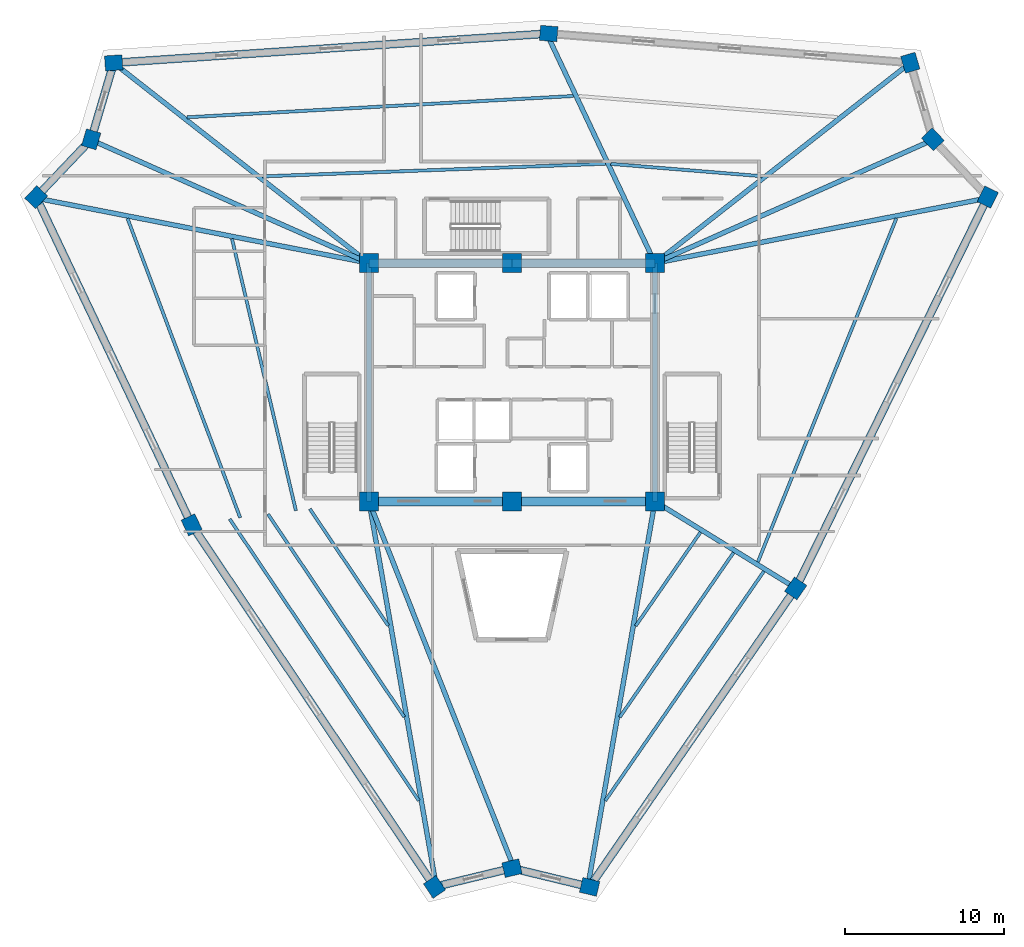
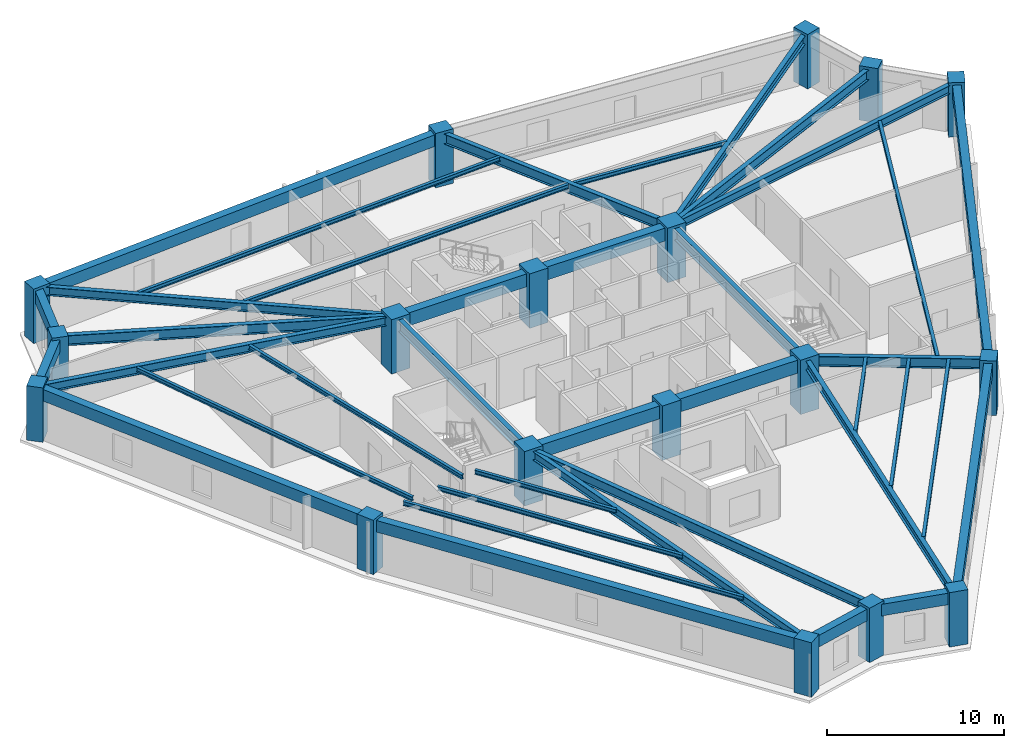
# One storey, part 1 of 8: 38 beams, 18 columns.
"""IFC4 building model written with IfcOpenShell, lengths in metres."""

from ifc_helpers import new_model, si_unit, direction, frame, origin, origin_2d, place, context, subcontext, project, spatial, rectangle, i_section, extrude, source, transform, mapped, material, material_profile, profile_set, type_object, element, save


model = new_model("IFC4")

# Units and contexts
model_context = context("Model", 3, precision=1e-05, world=origin(), true_north=direction((0.0, 1.0)))
body_context = subcontext(model_context, "Body", "Model", "MODEL_VIEW")
ifc_project = project(units=[si_unit("LENGTHUNIT", "METRE"), si_unit("AREAUNIT", "SQUARE_METRE"), si_unit("VOLUMEUNIT", "CUBIC_METRE"), si_unit("PLANEANGLEUNIT", "RADIAN"), si_unit("MASSUNIT", "GRAM", prefix="KILO")], contexts=[model_context])

# Site, building, storey
site_placement = place(None, origin())
site = spatial("IfcSite", under=ifc_project, at=site_placement, CompositionType="ELEMENT")
building_placement = place(site_placement, origin())
building = spatial("IfcBuilding", under=site, at=building_placement, Name="Liaohun Quay Tower", CompositionType="ELEMENT")
storey_placement = place(building_placement, frame((0.0, 0.0, 316.5)))
storey = spatial("IfcBuildingStorey", under=building, at=storey_placement, Name="L82", CompositionType="ELEMENT", Elevation=316.5)

# Columns
ifc_material_1 = material(Name="Concrete C50", Category="concrete")
ifc_material_profile_1 = material_profile(ifc_material_1, rectangle(XDim=1.199951171875, YDim=1.199951171875, at=origin_2d()), Name="RC1200x1200")
ifc_profile_set_1 = profile_set([ifc_material_profile_1], Name="Concrete C50")
column_type_1 = type_object("IfcColumnType", Name="COL-CC-Z4", PredefinedType="COLUMN", material=ifc_profile_set_1)
shared_shape_1 = source(origin(), body_context, "Body", "SweptSolid", [
    extrude(rectangle(XDim=1.199951171875, YDim=1.199951171875, at=origin_2d()), origin(), (0.0, 0.0, 1.0), 3.75),
])
for number, where, z_axis, x_axis, name in (
    (1, (51.0, 46.5, 0.0), (0.0, 0.0, 1.0), (1.0, 0.0, 0.0), "L82 Core Column CC1"),
    (2, (60.0, 46.5, 0.0), (0.0, 0.0, 1.0), (1.0, 0.0, 0.0), "L82 Core Column CC2"),
    (3, (69.0, 46.5, 0.0), (0.0, 0.0, 1.0), (1.0, 0.0, 0.0), "L82 Core Column CC3"),
    (4, (69.0, 61.5, 0.0), (0.0, 0.0, 1.0), (1.0, 0.0, 0.0), "L82 Core Column CC4"),
    (5, (60.0, 61.5, 0.0), (0.0, 0.0, 1.0), (1.0, 0.0, 0.0), "L82 Core Column CC5"),
    (6, (51.0, 61.5, 0.0), (0.0, 0.0, 1.0), (1.0, 0.0, 0.0), "L82 Core Column CC6"),
):
    element("IfcColumn", number, at=place(storey_placement, frame(where, z_axis=z_axis, x_axis=x_axis)), inside=storey, type_object=column_type_1, Name=name, PredefinedType="COLUMN", context=body_context, shape_type="MappedRepresentation", body=[
        mapped(shared_shape_1, transform((0.0, 0.0, 0.0), x_axis=(1.0, 0.0, 0.0), y_axis=(0.0, 1.0, 0.0), z_axis=(0.0, 0.0, 1.0), scale=1.0)),
    ])
ifc_material_profile_2 = material_profile(ifc_material_1, rectangle(XDim=1.10009765625, YDim=0.949951171875, at=origin_2d()), Name="RC1100x950")
ifc_profile_set_2 = profile_set([ifc_material_profile_2], Name="Concrete C50")
column_type_2 = type_object("IfcColumnType", Name="COL-PIER-Z4", PredefinedType="COLUMN", material=ifc_profile_set_2)
shared_shape_2 = source(origin(), body_context, "Body", "SweptSolid", [
    extrude(rectangle(XDim=1.10009765625, YDim=0.949951171875, at=origin_2d()), origin(), (0.0, 0.0, 1.0), 3.75),
])
for number, where, z_axis, x_axis, name in (
    (7, (55.123046875, 22.22998046875, 0.0), (0.0, 0.0, 1.0), (-0.557165515219, 0.830401462336, 0.0), "L82 Perimeter Pier PC01"),
    (8, (39.8310546875, 45.02197265625, 0.0), (0.0, 0.0, 1.0), (-0.428619783775, 0.903484964433, 0.0), "L82 Perimeter Pier PC02"),
    (9, (30.0419921875, 65.655029296875, 0.0), (0.0, 0.0, 1.0), (0.68936671806, 0.724412539946, 0.0), "L82 Perimeter Pier PC03"),
    (10, (33.507080078125, 69.2958984375, 0.0), (0.0, 0.0, 1.0), (0.282508884416, 0.959264682049, 0.0), "L82 Perimeter Pier PC04"),
    (11, (34.925048828125, 74.10888671875, 0.0), (0.0, 0.0, 1.0), (0.997731519333, 0.067318759124, 0.0), "L82 Perimeter Pier PC05"),
    (12, (62.30908203125, 75.9560546875, 0.0), (0.0, 0.0, 1.0), (-0.996750823024, 0.080546860903, 0.0), "L82 Perimeter Pier PC06"),
    (13, (85.072998046875, 74.116943359375, 0.0), (0.0, 0.0, 1.0), (-0.282508884416, 0.959264682049, 0.0), "L82 Perimeter Pier PC07"),
    (14, (86.492919921875, 69.2958984375, 0.0), (0.0, 0.0, 1.0), (-0.68936671806, 0.724412539946, 0.0), "L82 Perimeter Pier PC08"),
    (15, (89.951904296875, 65.660888671875, 0.0), (0.0, 0.0, 1.0), (0.440566004113, 0.897720221461, 0.0), "L82 Perimeter Pier PC09"),
    (16, (77.860107421875, 41.02197265625, 0.0), (0.0, 0.0, 1.0), (0.568131039249, 0.82293810353, 0.0), "L82 Perimeter Pier PC10"),
    (17, (64.885009765625, 22.22802734375, 0.0), (0.0, 0.0, 1.0), (-0.972043021443, 0.234802820391, 0.0), "L82 Perimeter Pier PC11"),
    (18, (60.0, 23.407958984375, 0.0), (0.0, 0.0, 1.0), (0.972043021443, 0.234802820391, 0.0), "L82 Perimeter Pier PC12"),
):
    element("IfcColumn", number, at=place(storey_placement, frame(where, z_axis=z_axis, x_axis=x_axis)), inside=storey, type_object=column_type_2, Name=name, PredefinedType="COLUMN", context=body_context, shape_type="MappedRepresentation", body=[
        mapped(shared_shape_2, transform((0.0, 0.0, 0.0), x_axis=(1.0, 0.0, 0.0), y_axis=(0.0, 1.0, 0.0), z_axis=(0.0, 0.0, 1.0), scale=1.0)),
    ])

# Beams
ifc_material_2 = material(Name="Steel Q355D", Category="steel")
ifc_material_profile_3 = material_profile(ifc_material_2, i_section(OverallWidth=0.300048828125, OverallDepth=0.800048828125, WebThickness=0.013916015625, FlangeThickness=0.02587890625, at=origin_2d()), Name="HN800x300x14x26")
ifc_profile_set_3 = profile_set([ifc_material_profile_3], Name="Steel Q355D")
beam_type_1 = type_object("IfcBeamType", Name="BM-RAD-M1", PredefinedType="BEAM", material=ifc_profile_set_3)
shared_shape_3 = source(origin(), body_context, "Body", "SweptSolid", [
    extrude(i_section(OverallWidth=0.300048828125, OverallDepth=0.800048828125, WebThickness=0.013916015625, FlangeThickness=0.02587890625, at=origin_2d()), origin(), (0.0, 0.0, 1.0), 15.0),
])
for number, where, z_axis, x_axis, name in (
    (19, (69.0, 46.5, 3.169921875), (0.0, 1.0, 0.0), (-1.0, 0.0, 0.0), "L82 Core Coupling/Ring Beam CC3-CC4"),
    (20, (51.0, 61.5, 3.169921875), (0.0, -1.0, 0.0), (1.0, 0.0, 0.0), "L82 Core Coupling/Ring Beam CC6-CC1"),
):
    element("IfcBeam", number, at=place(storey_placement, frame(where, z_axis=z_axis, x_axis=x_axis)), inside=storey, type_object=beam_type_1, Name=name, PredefinedType="BEAM", context=body_context, shape_type="MappedRepresentation", body=[
        mapped(shared_shape_3, transform((0.0, 0.0, 0.0), x_axis=(1.0, 0.0, 0.0), y_axis=(0.0, 1.0, 0.0), z_axis=(0.0, 0.0, 1.0), scale=1.0)),
    ])
ifc_material_3 = material(Name="Concrete C55", Category="concrete")
ifc_material_profile_4 = material_profile(ifc_material_3, rectangle(XDim=0.550048828125, YDim=0.89990234375, at=origin_2d()), Name="RC550x900")
ifc_profile_set_4 = profile_set([ifc_material_profile_4], Name="Concrete C55")
beam_type_2 = type_object("IfcBeamType", Name="BM-CPL-2", PredefinedType="LINTEL", material=ifc_profile_set_4)
shared_shape_4 = source(origin(), body_context, "Body", "SweptSolid", [
    extrude(rectangle(XDim=0.550048828125, YDim=0.89990234375, at=origin_2d()), origin(), (0.0, 0.0, 1.0), 9.0),
])
for number, where, z_axis, x_axis, name in (
    (21, (51.0, 46.5, 3.1201171875), (1.0, 0.0, 0.0), (0.0, 1.0, 0.0), "L82 Core Coupling/Ring Beam CC1-CC2"),
    (22, (60.0, 46.5, 3.1201171875), (1.0, 0.0, 0.0), (0.0, 1.0, 0.0), "L82 Core Coupling/Ring Beam CC2-CC3"),
    (23, (69.0, 61.5, 3.1201171875), (-1.0, 0.0, 0.0), (0.0, -1.0, 0.0), "L82 Core Coupling/Ring Beam CC4-CC5"),
    (24, (60.0, 61.5, 3.1201171875), (-1.0, 0.0, 0.0), (0.0, -1.0, 0.0), "L82 Core Coupling/Ring Beam CC5-CC6"),
):
    element("IfcBeam", number, at=place(storey_placement, frame(where, z_axis=z_axis, x_axis=x_axis)), inside=storey, type_object=beam_type_2, Name=name, PredefinedType="LINTEL", context=body_context, shape_type="MappedRepresentation", body=[
        mapped(shared_shape_4, transform((0.0, 0.0, 0.0), x_axis=(1.0, 0.0, 0.0), y_axis=(0.0, 1.0, 0.0), z_axis=(0.0, 0.0, 1.0), scale=1.0)),
    ])
ifc_material_4 = material(Name="Precast concrete C50", Category="concrete")
ifc_material_profile_5 = material_profile(ifc_material_4, rectangle(XDim=0.5, YDim=0.800048828125, at=origin_2d()), Name="RC500x800")
ifc_profile_set_5 = profile_set([ifc_material_profile_5], Name="Precast concrete C50")
beam_type_3 = type_object("IfcBeamType", Name="BM-SPD-Z4", PredefinedType="SPANDREL", material=ifc_profile_set_5)
shared_shape_5 = source(origin(), body_context, "Body", "SweptSolid", [
    extrude(rectangle(XDim=0.5, YDim=0.800048828125, at=origin_2d()), origin(), (0.0, 0.0, 1.0), 27.44677734375),
])
beam_1_placement = place(storey_placement, frame((55.123046875, 22.22998046875, 3.169921875), z_axis=(-0.557152826308, 0.830409975938, 0.0), x_axis=(-0.830409975938, -0.557152826308, 0.0)))
element("IfcBeam", 25, at=beam_1_placement, inside=storey, type_object=beam_type_3, Name="L82 Precast Spandrel Beam PC01-PC02", PredefinedType="SPANDREL", context=body_context, shape_type="MappedRepresentation", body=[
    mapped(shared_shape_5, transform((0.0, 0.0, 0.0), x_axis=(1.0, 0.0, 0.0), y_axis=(0.0, 1.0, 0.0), z_axis=(0.0, 0.0, 1.0), scale=1.0)),
])
shared_shape_6 = source(origin(), body_context, "Body", "SweptSolid", [
    extrude(rectangle(XDim=0.5, YDim=0.800048828125, at=origin_2d()), origin(), (0.0, 0.0, 1.0), 22.83740234375),
])
beam_2_placement = place(storey_placement, frame((39.8310546875, 45.02197265625, 3.169921875), z_axis=(-0.428640929659, 0.90347493237, 0.0), x_axis=(-0.90347493237, -0.428640929659, 0.0)))
element("IfcBeam", 26, at=beam_2_placement, inside=storey, type_object=beam_type_3, Name="L82 Precast Spandrel Beam PC02-PC03", PredefinedType="SPANDREL", context=body_context, shape_type="MappedRepresentation", body=[
    mapped(shared_shape_6, transform((0.0, 0.0, 0.0), x_axis=(1.0, 0.0, 0.0), y_axis=(0.0, 1.0, 0.0), z_axis=(0.0, 0.0, 1.0), scale=1.0)),
])
shared_shape_7 = source(origin(), body_context, "Body", "SweptSolid", [
    extrude(rectangle(XDim=0.5, YDim=0.800048828125, at=origin_2d()), origin(), (0.0, 0.0, 1.0), 5.026123046875),
])
beam_3_placement = place(storey_placement, frame((30.0419921875, 65.655029296875, 3.169921875), z_axis=(0.689404061854, 0.724377000946, 0.0), x_axis=(-0.724377000946, 0.689404061854, 0.0)))
element("IfcBeam", 27, at=beam_3_placement, inside=storey, type_object=beam_type_3, Name="L82 Precast Spandrel Beam PC03-PC04", PredefinedType="SPANDREL", context=body_context, shape_type="MappedRepresentation", body=[
    mapped(shared_shape_7, transform((0.0, 0.0, 0.0), x_axis=(1.0, 0.0, 0.0), y_axis=(0.0, 1.0, 0.0), z_axis=(0.0, 0.0, 1.0), scale=1.0)),
])
shared_shape_8 = source(origin(), body_context, "Body", "SweptSolid", [
    extrude(rectangle(XDim=0.5, YDim=0.800048828125, at=origin_2d()), origin(), (0.0, 0.0, 1.0), 5.017578125),
])
beam_4_placement = place(storey_placement, frame((33.507080078125, 69.2958984375, 3.169921875), z_axis=(0.282603593627, 0.959236784568, 0.0), x_axis=(-0.959236784568, 0.282603593627, 0.0)))
element("IfcBeam", 28, at=beam_4_placement, inside=storey, type_object=beam_type_3, Name="L82 Precast Spandrel Beam PC04-PC05", PredefinedType="SPANDREL", context=body_context, shape_type="MappedRepresentation", body=[
    mapped(shared_shape_8, transform((0.0, 0.0, 0.0), x_axis=(1.0, 0.0, 0.0), y_axis=(0.0, 1.0, 0.0), z_axis=(0.0, 0.0, 1.0), scale=1.0)),
])
shared_shape_9 = source(origin(), body_context, "Body", "SweptSolid", [
    extrude(rectangle(XDim=0.5, YDim=0.800048828125, at=origin_2d()), origin(), (0.0, 0.0, 1.0), 27.4462890625),
])
beam_5_placement = place(storey_placement, frame((34.925048828125, 74.10888671875, 3.169921875), z_axis=(0.997732700008, 0.067301258042, 0.0), x_axis=(-0.067301258042, 0.997732700008, 0.0)))
element("IfcBeam", 29, at=beam_5_placement, inside=storey, type_object=beam_type_3, Name="L82 Precast Spandrel Beam PC05-PC06", PredefinedType="SPANDREL", context=body_context, shape_type="MappedRepresentation", body=[
    mapped(shared_shape_9, transform((0.0, 0.0, 0.0), x_axis=(1.0, 0.0, 0.0), y_axis=(0.0, 1.0, 0.0), z_axis=(0.0, 0.0, 1.0), scale=1.0)),
])
shared_shape_10 = source(origin(), body_context, "Body", "SweptSolid", [
    extrude(rectangle(XDim=0.5, YDim=0.800048828125, at=origin_2d()), origin(), (0.0, 0.0, 1.0), 27.446044921875),
])
beam_6_placement = place(storey_placement, frame((89.951904296875, 65.660888671875, 3.169921875), z_axis=(-0.440565408616, -0.897720513708, 0.0), x_axis=(0.897720513708, -0.440565408616, 0.0)))
element("IfcBeam", 30, at=beam_6_placement, inside=storey, type_object=beam_type_3, Name="L82 Precast Spandrel Beam PC09-PC10", PredefinedType="SPANDREL", context=body_context, shape_type="MappedRepresentation", body=[
    mapped(shared_shape_10, transform((0.0, 0.0, 0.0), x_axis=(1.0, 0.0, 0.0), y_axis=(0.0, 1.0, 0.0), z_axis=(0.0, 0.0, 1.0), scale=1.0)),
])
shared_shape_11 = source(origin(), body_context, "Body", "SweptSolid", [
    extrude(rectangle(XDim=0.5, YDim=0.800048828125, at=origin_2d()), origin(), (0.0, 0.0, 1.0), 22.837890625),
])
beam_7_placement = place(storey_placement, frame((77.860107421875, 41.02197265625, 3.169921875), z_axis=(-0.568141077434, -0.822931173387, 0.0), x_axis=(0.822931173387, -0.568141077434, 0.0)))
element("IfcBeam", 31, at=beam_7_placement, inside=storey, type_object=beam_type_3, Name="L82 Precast Spandrel Beam PC10-PC11", PredefinedType="SPANDREL", context=body_context, shape_type="MappedRepresentation", body=[
    mapped(shared_shape_11, transform((0.0, 0.0, 0.0), x_axis=(1.0, 0.0, 0.0), y_axis=(0.0, 1.0, 0.0), z_axis=(0.0, 0.0, 1.0), scale=1.0)),
])
shared_shape_12 = source(origin(), body_context, "Body", "SweptSolid", [
    extrude(rectangle(XDim=0.5, YDim=0.800048828125, at=origin_2d()), origin(), (0.0, 0.0, 1.0), 5.025390625),
])
beam_8_placement = place(storey_placement, frame((64.885009765625, 22.22802734375, 3.169921875), z_axis=(-0.972046280401, 0.234789328461, 0.0), x_axis=(-0.234789328461, -0.972046280401, 0.0)))
element("IfcBeam", 32, at=beam_8_placement, inside=storey, type_object=beam_type_3, Name="L82 Precast Spandrel Beam PC11-PC12", PredefinedType="SPANDREL", context=body_context, shape_type="MappedRepresentation", body=[
    mapped(shared_shape_12, transform((0.0, 0.0, 0.0), x_axis=(1.0, 0.0, 0.0), y_axis=(0.0, 1.0, 0.0), z_axis=(0.0, 0.0, 1.0), scale=1.0)),
])
shared_shape_13 = source(origin(), body_context, "Body", "SweptSolid", [
    extrude(rectangle(XDim=0.5, YDim=0.800048828125, at=origin_2d()), origin(), (0.0, 0.0, 1.0), 5.01708984375),
])
beam_9_placement = place(storey_placement, frame((60.0, 23.407958984375, 3.169921875), z_axis=(-0.972046603984, -0.234787988798, 0.0), x_axis=(0.234787988798, -0.972046603984, 0.0)))
element("IfcBeam", 33, at=beam_9_placement, inside=storey, type_object=beam_type_3, Name="L82 Precast Spandrel Beam PC12-PC01", PredefinedType="SPANDREL", context=body_context, shape_type="MappedRepresentation", body=[
    mapped(shared_shape_13, transform((0.0, 0.0, 0.0), x_axis=(1.0, 0.0, 0.0), y_axis=(0.0, 1.0, 0.0), z_axis=(0.0, 0.0, 1.0), scale=1.0)),
])
ifc_material_profile_6 = material_profile(ifc_material_2, i_section(OverallWidth=0.300048828125, OverallDepth=0.587890625, WebThickness=0.011962890625, FlangeThickness=0.02001953125, at=origin_2d()), Name="HM588x300x12x20")
ifc_profile_set_6 = profile_set([ifc_material_profile_6], Name="Steel Q355D")
beam_type_4 = type_object("IfcBeamType", Name="BM-RAD-U2", PredefinedType="BEAM", material=ifc_profile_set_6)
shared_shape_14 = source(origin(), body_context, "Body", "SweptSolid", [
    extrude(i_section(OverallWidth=0.300048828125, OverallDepth=0.587890625, WebThickness=0.011962890625, FlangeThickness=0.02001953125, at=origin_2d()), origin(), (0.0, 0.0, 1.0), 24.290771484375),
])
beam_10_placement = place(storey_placement, frame((51.0, 46.5, 3.27587890625), z_axis=(0.171958294112, -0.98510423057, 0.0), x_axis=(0.98510423057, 0.171958294112, 0.0)))
element("IfcBeam", 34, at=beam_10_placement, inside=storey, type_object=beam_type_4, Name="L82 Radial Primary Girder CC1-PC01", PredefinedType="BEAM", context=body_context, shape_type="MappedRepresentation", body=[
    mapped(shared_shape_14, transform((0.0, 0.0, 0.0), x_axis=(1.0, 0.0, 0.0), y_axis=(0.0, 1.0, 0.0), z_axis=(0.0, 0.0, 1.0), scale=1.0)),
])
shared_shape_15 = source(origin(), body_context, "Body", "SweptSolid", [
    extrude(i_section(OverallWidth=0.300048828125, OverallDepth=0.587890625, WebThickness=0.011962890625, FlangeThickness=0.02001953125, at=origin_2d()), origin(), (0.0, 0.0, 1.0), 21.026123046875),
])
beam_11_placement = place(storey_placement, frame((51.0, 61.5, 3.27587890625), z_axis=(-0.981441852871, 0.191759978706, 0.0), x_axis=(-0.191759978706, -0.981441852871, 0.0)))
element("IfcBeam", 35, at=beam_11_placement, inside=storey, type_object=beam_type_4, Name="L82 Radial Primary Girder CC6-PC03", PredefinedType="BEAM", context=body_context, shape_type="MappedRepresentation", body=[
    mapped(shared_shape_15, transform((0.0, 0.0, 0.0), x_axis=(1.0, 0.0, 0.0), y_axis=(0.0, 1.0, 0.0), z_axis=(0.0, 0.0, 1.0), scale=1.0)),
])
ifc_material_profile_7 = material_profile(ifc_material_2, i_section(OverallWidth=0.300048828125, OverallDepth=0.699951171875, WebThickness=0.012939453125, FlangeThickness=0.02392578125, at=origin_2d()), Name="HN700x300x13x24")
ifc_profile_set_7 = profile_set([ifc_material_profile_7], Name="Steel Q355D")
beam_type_5 = type_object("IfcBeamType", Name="BM-RAD-U1", PredefinedType="BEAM", material=ifc_profile_set_7)
shared_shape_16 = source(origin(), body_context, "Body", "SweptSolid", [
    extrude(i_section(OverallWidth=0.300048828125, OverallDepth=0.699951171875, WebThickness=0.012939453125, FlangeThickness=0.02392578125, at=origin_2d()), origin(), (0.0, 0.0, 1.0), 18.826416015625),
])
for number, where, z_axis, x_axis, name in (
    (36, (51.0, 61.5, 3.219970703125), (-0.914142264056, 0.40539353851, 0.0), (-0.40539353851, -0.914142264056, 0.0), "L82 Radial Primary Girder CC6-PC04"),
    (37, (69.0, 61.5, 3.219970703125), (0.914142264056, 0.40539353851, 0.0), (-0.40539353851, 0.914142264056, 0.0), "L82 Radial Primary Girder CC4-PC08"),
):
    element("IfcBeam", number, at=place(storey_placement, frame(where, z_axis=z_axis, x_axis=x_axis)), inside=storey, type_object=beam_type_5, Name=name, PredefinedType="BEAM", context=body_context, shape_type="MappedRepresentation", body=[
        mapped(shared_shape_16, transform((0.0, 0.0, 0.0), x_axis=(1.0, 0.0, 0.0), y_axis=(0.0, 1.0, 0.0), z_axis=(0.0, 0.0, 1.0), scale=1.0)),
    ])
shared_shape_17 = source(origin(), body_context, "Body", "SweptSolid", [
    extrude(i_section(OverallWidth=0.300048828125, OverallDepth=0.587890625, WebThickness=0.011962890625, FlangeThickness=0.02001953125, at=origin_2d()), origin(), (0.0, 0.0, 1.0), 20.084716796875),
])
beam_12_placement = place(storey_placement, frame((51.0, 61.5, 3.27587890625), z_axis=(-0.787009177391, 0.61694128951, 0.0), x_axis=(-0.61694128951, -0.787009177391, 0.0)))
element("IfcBeam", 38, at=beam_12_placement, inside=storey, type_object=beam_type_4, Name="L82 Radial Primary Girder CC6-PC05", PredefinedType="BEAM", context=body_context, shape_type="MappedRepresentation", body=[
    mapped(shared_shape_17, transform((0.0, 0.0, 0.0), x_axis=(1.0, 0.0, 0.0), y_axis=(0.0, 1.0, 0.0), z_axis=(0.0, 0.0, 1.0), scale=1.0)),
])
shared_shape_18 = source(origin(), body_context, "Body", "SweptSolid", [
    extrude(i_section(OverallWidth=0.300048828125, OverallDepth=0.699951171875, WebThickness=0.012939453125, FlangeThickness=0.02392578125, at=origin_2d()), origin(), (0.0, 0.0, 1.0), 15.73828125),
])
beam_13_placement = place(storey_placement, frame((69.0, 61.5, 3.219970703125), z_axis=(-0.42667014982, 0.904407310482, 0.0), x_axis=(-0.904407310482, -0.42667014982, 0.0)))
element("IfcBeam", 39, at=beam_13_placement, inside=storey, type_object=beam_type_5, Name="L82 Radial Primary Girder CC4-PC06", PredefinedType="BEAM", context=body_context, shape_type="MappedRepresentation", body=[
    mapped(shared_shape_18, transform((0.0, 0.0, 0.0), x_axis=(1.0, 0.0, 0.0), y_axis=(0.0, 1.0, 0.0), z_axis=(0.0, 0.0, 1.0), scale=1.0)),
])
shared_shape_19 = source(origin(), body_context, "Body", "SweptSolid", [
    extrude(i_section(OverallWidth=0.300048828125, OverallDepth=0.587890625, WebThickness=0.011962890625, FlangeThickness=0.02001953125, at=origin_2d()), origin(), (0.0, 0.0, 1.0), 20.088134765625),
])
beam_14_placement = place(storey_placement, frame((69.0, 61.5, 3.27587890625), z_axis=(0.786783285723, 0.617229342551, 0.0), x_axis=(-0.617229342551, 0.786783285723, 0.0)))
element("IfcBeam", 40, at=beam_14_placement, inside=storey, type_object=beam_type_4, Name="L82 Radial Primary Girder CC4-PC07", PredefinedType="BEAM", context=body_context, shape_type="MappedRepresentation", body=[
    mapped(shared_shape_19, transform((0.0, 0.0, 0.0), x_axis=(1.0, 0.0, 0.0), y_axis=(0.0, 1.0, 0.0), z_axis=(0.0, 0.0, 1.0), scale=1.0)),
])
shared_shape_20 = source(origin(), body_context, "Body", "SweptSolid", [
    extrude(i_section(OverallWidth=0.300048828125, OverallDepth=0.587890625, WebThickness=0.011962890625, FlangeThickness=0.02001953125, at=origin_2d()), origin(), (0.0, 0.0, 1.0), 21.021484375),
])
beam_15_placement = place(storey_placement, frame((69.0, 61.5, 3.27587890625), z_axis=(0.981376475409, 0.192094282879, 0.0), x_axis=(-0.192094282879, 0.981376475409, 0.0)))
element("IfcBeam", 41, at=beam_15_placement, inside=storey, type_object=beam_type_4, Name="L82 Radial Primary Girder CC4-PC09", PredefinedType="BEAM", context=body_context, shape_type="MappedRepresentation", body=[
    mapped(shared_shape_20, transform((0.0, 0.0, 0.0), x_axis=(1.0, 0.0, 0.0), y_axis=(0.0, 1.0, 0.0), z_axis=(0.0, 0.0, 1.0), scale=1.0)),
])
shared_shape_21 = source(origin(), body_context, "Body", "SweptSolid", [
    extrude(i_section(OverallWidth=0.300048828125, OverallDepth=0.699951171875, WebThickness=0.012939453125, FlangeThickness=0.02392578125, at=origin_2d()), origin(), (0.0, 0.0, 1.0), 10.194091796875),
])
beam_16_placement = place(storey_placement, frame((69.0, 46.5, 3.219970703125), z_axis=(0.851463375645, -0.524414072976, 0.0), x_axis=(0.524414072976, 0.851463375645, 0.0)))
element("IfcBeam", 42, at=beam_16_placement, inside=storey, type_object=beam_type_5, Name="L82 Radial Primary Girder CC3-PC10", PredefinedType="BEAM", context=body_context, shape_type="MappedRepresentation", body=[
    mapped(shared_shape_21, transform((0.0, 0.0, 0.0), x_axis=(1.0, 0.0, 0.0), y_axis=(0.0, 1.0, 0.0), z_axis=(0.0, 0.0, 1.0), scale=1.0)),
])
shared_shape_22 = source(origin(), body_context, "Body", "SweptSolid", [
    extrude(i_section(OverallWidth=0.300048828125, OverallDepth=0.587890625, WebThickness=0.011962890625, FlangeThickness=0.02001953125, at=origin_2d()), origin(), (0.0, 0.0, 1.0), 24.291259765625),
])
beam_17_placement = place(storey_placement, frame((69.0, 46.5, 3.27587890625), z_axis=(-0.17162280381, -0.985162734381, 0.0), x_axis=(0.985162734381, -0.17162280381, 0.0)))
element("IfcBeam", 43, at=beam_17_placement, inside=storey, type_object=beam_type_4, Name="L82 Radial Primary Girder CC3-PC11", PredefinedType="BEAM", context=body_context, shape_type="MappedRepresentation", body=[
    mapped(shared_shape_22, transform((0.0, 0.0, 0.0), x_axis=(1.0, 0.0, 0.0), y_axis=(0.0, 1.0, 0.0), z_axis=(0.0, 0.0, 1.0), scale=1.0)),
])
shared_shape_23 = source(origin(), body_context, "Body", "SweptSolid", [
    extrude(i_section(OverallWidth=0.300048828125, OverallDepth=0.699951171875, WebThickness=0.012939453125, FlangeThickness=0.02392578125, at=origin_2d()), origin(), (0.0, 0.0, 1.0), 24.4794921875),
])
beam_18_placement = place(storey_placement, frame((51.0, 46.5, 3.219970703125), z_axis=(0.367656281754, -0.929961751088, 0.0), x_axis=(0.929961751088, 0.367656281754, 0.0)))
element("IfcBeam", 44, at=beam_18_placement, inside=storey, type_object=beam_type_5, Name="L82 Radial Primary Girder CC1-PC12", PredefinedType="BEAM", context=body_context, shape_type="MappedRepresentation", body=[
    mapped(shared_shape_23, transform((0.0, 0.0, 0.0), x_axis=(1.0, 0.0, 0.0), y_axis=(0.0, 1.0, 0.0), z_axis=(0.0, 0.0, 1.0), scale=1.0)),
])
ifc_material_profile_8 = material_profile(ifc_material_2, i_section(OverallWidth=0.199951171875, OverallDepth=0.2939453125, WebThickness=0.008056640625, FlangeThickness=0.011962890625, at=origin_2d()), Name="HM294x200x8x12")
ifc_profile_set_8 = profile_set([ifc_material_profile_8], Name="Steel Q355D")
beam_type_6 = type_object("IfcBeamType", Name="BM-SEC-J4", PredefinedType="JOIST", material=ifc_profile_set_8)
shared_shape_24 = source(origin(), body_context, "Body", "SweptSolid", [
    extrude(i_section(OverallWidth=0.199951171875, OverallDepth=0.2939453125, WebThickness=0.008056640625, FlangeThickness=0.011962890625, at=origin_2d()), origin(), (0.0, 0.0, 1.0), 8.86376953125),
])
beam_19_placement = place(storey_placement, frame((52.214111328125, 38.669921875, 3.423095703125), z_axis=(-0.557563549277, 0.830134259332, 0.0), x_axis=(-0.830134259332, -0.557563549277, 0.0)))
element("IfcBeam", 45, at=beam_19_placement, inside=storey, type_object=beam_type_6, Name="L82 Wing Secondary Floor Joist SJ-01", PredefinedType="JOIST", context=body_context, shape_type="MappedRepresentation", body=[
    mapped(shared_shape_24, transform((0.0, 0.0, 0.0), x_axis=(1.0, 0.0, 0.0), y_axis=(0.0, 1.0, 0.0), z_axis=(0.0, 0.0, 1.0), scale=1.0)),
])
shared_shape_25 = source(origin(), body_context, "Body", "SweptSolid", [
    extrude(i_section(OverallWidth=0.199951171875, OverallDepth=0.2939453125, WebThickness=0.008056640625, FlangeThickness=0.011962890625, at=origin_2d()), origin(), (0.0, 0.0, 1.0), 15.381591796875),
])
beam_20_placement = place(storey_placement, frame((53.217041015625, 32.927001953125, 3.423095703125), z_axis=(-0.557627034384, 0.830091615741, 0.0), x_axis=(-0.830091615741, -0.557627034384, 0.0)))
element("IfcBeam", 46, at=beam_20_placement, inside=storey, type_object=beam_type_6, Name="L82 Wing Secondary Floor Joist SJ-02", PredefinedType="JOIST", context=body_context, shape_type="MappedRepresentation", body=[
    mapped(shared_shape_25, transform((0.0, 0.0, 0.0), x_axis=(1.0, 0.0, 0.0), y_axis=(0.0, 1.0, 0.0), z_axis=(0.0, 0.0, 1.0), scale=1.0)),
])
shared_shape_26 = source(origin(), body_context, "Body", "SweptSolid", [
    extrude(i_section(OverallWidth=0.199951171875, OverallDepth=0.2939453125, WebThickness=0.008056640625, FlangeThickness=0.011962890625, at=origin_2d()), origin(), (0.0, 0.0, 1.0), 21.35498046875),
])
beam_21_placement = place(storey_placement, frame((54.135986328125, 27.6630859375, 3.423095703125), z_axis=(-0.557617328173, 0.830098135958, 0.0), x_axis=(-0.830098135958, -0.557617328173, 0.0)))
element("IfcBeam", 47, at=beam_21_placement, inside=storey, type_object=beam_type_6, Name="L82 Wing Secondary Floor Joist SJ-03", PredefinedType="JOIST", context=body_context, shape_type="MappedRepresentation", body=[
    mapped(shared_shape_26, transform((0.0, 0.0, 0.0), x_axis=(1.0, 0.0, 0.0), y_axis=(0.0, 1.0, 0.0), z_axis=(0.0, 0.0, 1.0), scale=1.0)),
])
shared_shape_27 = source(origin(), body_context, "Body", "SweptSolid", [
    extrude(i_section(OverallWidth=0.199951171875, OverallDepth=0.2939453125, WebThickness=0.008056640625, FlangeThickness=0.011962890625, at=origin_2d()), origin(), (0.0, 0.0, 1.0), 17.58251953125),
])
beam_22_placement = place(storey_placement, frame((46.39501953125, 45.9169921875, 3.423095703125), z_axis=(-0.228858228464, 0.973459763557, 0.0), x_axis=(-0.973459763557, -0.228858228464, 0.0)))
element("IfcBeam", 48, at=beam_22_placement, inside=storey, type_object=beam_type_6, Name="L82 Wing Secondary Floor Joist SJ-04", PredefinedType="JOIST", context=body_context, shape_type="MappedRepresentation", body=[
    mapped(shared_shape_27, transform((0.0, 0.0, 0.0), x_axis=(1.0, 0.0, 0.0), y_axis=(0.0, 1.0, 0.0), z_axis=(0.0, 0.0, 1.0), scale=1.0)),
])
shared_shape_28 = source(origin(), body_context, "Body", "SweptSolid", [
    extrude(i_section(OverallWidth=0.199951171875, OverallDepth=0.2939453125, WebThickness=0.008056640625, FlangeThickness=0.011962890625, at=origin_2d()), origin(), (0.0, 0.0, 1.0), 20.137451171875),
])
beam_23_placement = place(storey_placement, frame((42.885986328125, 45.472900390625, 3.423095703125), z_axis=(-0.352326885506, 0.935877003537, 0.0), x_axis=(-0.935877003537, -0.352326885506, 0.0)))
element("IfcBeam", 49, at=beam_23_placement, inside=storey, type_object=beam_type_6, Name="L82 Wing Secondary Floor Joist SJ-05", PredefinedType="JOIST", context=body_context, shape_type="MappedRepresentation", body=[
    mapped(shared_shape_28, transform((0.0, 0.0, 0.0), x_axis=(1.0, 0.0, 0.0), y_axis=(0.0, 1.0, 0.0), z_axis=(0.0, 0.0, 1.0), scale=1.0)),
])
shared_shape_29 = source(origin(), body_context, "Body", "SweptSolid", [
    extrude(i_section(OverallWidth=0.199951171875, OverallDepth=0.2939453125, WebThickness=0.008056640625, FlangeThickness=0.011962890625, at=origin_2d()), origin(), (0.0, 0.0, 1.0), 21.61962890625),
])
beam_24_placement = place(storey_placement, frame((44.277099609375, 66.9609375, 3.423095703125), z_axis=(0.999321731072, 0.036824961749, 0.0), x_axis=(-0.036824961749, 0.999321731072, 0.0)))
element("IfcBeam", 50, at=beam_24_placement, inside=storey, type_object=beam_type_6, Name="L82 Wing Secondary Floor Joist SJ-06", PredefinedType="JOIST", context=body_context, shape_type="MappedRepresentation", body=[
    mapped(shared_shape_29, transform((0.0, 0.0, 0.0), x_axis=(1.0, 0.0, 0.0), y_axis=(0.0, 1.0, 0.0), z_axis=(0.0, 0.0, 1.0), scale=1.0)),
])
shared_shape_30 = source(origin(), body_context, "Body", "SweptSolid", [
    extrude(i_section(OverallWidth=0.199951171875, OverallDepth=0.2939453125, WebThickness=0.008056640625, FlangeThickness=0.011962890625, at=origin_2d()), origin(), (0.0, 0.0, 1.0), 24.375732421875),
])
beam_25_placement = place(storey_placement, frame((39.530029296875, 70.681884765625, 3.423095703125), z_axis=(0.998483257291, 0.055056197742, 0.0), x_axis=(-0.055056197742, 0.998483257291, 0.0)))
element("IfcBeam", 51, at=beam_25_placement, inside=storey, type_object=beam_type_6, Name="L82 Wing Secondary Floor Joist SJ-07", PredefinedType="JOIST", context=body_context, shape_type="MappedRepresentation", body=[
    mapped(shared_shape_30, transform((0.0, 0.0, 0.0), x_axis=(1.0, 0.0, 0.0), y_axis=(0.0, 1.0, 0.0), z_axis=(0.0, 0.0, 1.0), scale=1.0)),
])
shared_shape_31 = source(origin(), body_context, "Body", "SweptSolid", [
    extrude(i_section(OverallWidth=0.199951171875, OverallDepth=0.2939453125, WebThickness=0.008056640625, FlangeThickness=0.011962890625, at=origin_2d()), origin(), (0.0, 0.0, 1.0), 9.54736328125),
])
beam_26_placement = place(storey_placement, frame((66.218017578125, 67.7490234375, 3.423095703125), z_axis=(0.996690410993, -0.081290987417, 0.0), x_axis=(0.081290987417, 0.996690410993, 0.0)))
element("IfcBeam", 52, at=beam_26_placement, inside=storey, type_object=beam_type_6, Name="L82 Wing Secondary Floor Joist SJ-08", PredefinedType="JOIST", context=body_context, shape_type="MappedRepresentation", body=[
    mapped(shared_shape_31, transform((0.0, 0.0, 0.0), x_axis=(1.0, 0.0, 0.0), y_axis=(0.0, 1.0, 0.0), z_axis=(0.0, 0.0, 1.0), scale=1.0)),
])
shared_shape_32 = source(origin(), body_context, "Body", "SweptSolid", [
    extrude(i_section(OverallWidth=0.199951171875, OverallDepth=0.2939453125, WebThickness=0.008056640625, FlangeThickness=0.011962890625, at=origin_2d()), origin(), (0.0, 0.0, 1.0), 23.32763671875),
])
beam_27_placement = place(storey_placement, frame((84.198974609375, 64.322021484375, 3.423095703125), z_axis=(-0.37376229512, -0.927524526224, 0.0), x_axis=(0.927524526224, -0.37376229512, 0.0)))
element("IfcBeam", 53, at=beam_27_placement, inside=storey, type_object=beam_type_6, Name="L82 Wing Secondary Floor Joist SJ-11", PredefinedType="JOIST", context=body_context, shape_type="MappedRepresentation", body=[
    mapped(shared_shape_32, transform((0.0, 0.0, 0.0), x_axis=(1.0, 0.0, 0.0), y_axis=(0.0, 1.0, 0.0), z_axis=(0.0, 0.0, 1.0), scale=1.0)),
])
shared_shape_33 = source(origin(), body_context, "Body", "SweptSolid", [
    extrude(i_section(OverallWidth=0.199951171875, OverallDepth=0.2939453125, WebThickness=0.008056640625, FlangeThickness=0.011962890625, at=origin_2d()), origin(), (0.0, 0.0, 1.0), 7.17431640625),
])
beam_28_placement = place(storey_placement, frame((71.865966796875, 44.55908203125, 3.423095703125), z_axis=(-0.568709088006, -0.822538736607, 0.0), x_axis=(0.822538736607, -0.568709088006, 0.0)))
element("IfcBeam", 54, at=beam_28_placement, inside=storey, type_object=beam_type_6, Name="L82 Wing Secondary Floor Joist SJ-12", PredefinedType="JOIST", context=body_context, shape_type="MappedRepresentation", body=[
    mapped(shared_shape_33, transform((0.0, 0.0, 0.0), x_axis=(1.0, 0.0, 0.0), y_axis=(0.0, 1.0, 0.0), z_axis=(0.0, 0.0, 1.0), scale=1.0)),
])
shared_shape_34 = source(origin(), body_context, "Body", "SweptSolid", [
    extrude(i_section(OverallWidth=0.199951171875, OverallDepth=0.2939453125, WebThickness=0.008056640625, FlangeThickness=0.011962890625, at=origin_2d()), origin(), (0.0, 0.0, 1.0), 12.5966796875),
])
beam_29_placement = place(storey_placement, frame((73.948974609375, 43.27587890625, 3.423095703125), z_axis=(-0.568647477747, -0.822581330965, 0.0), x_axis=(0.822581330965, -0.568647477747, 0.0)))
element("IfcBeam", 55, at=beam_29_placement, inside=storey, type_object=beam_type_6, Name="L82 Wing Secondary Floor Joist SJ-13", PredefinedType="JOIST", context=body_context, shape_type="MappedRepresentation", body=[
    mapped(shared_shape_34, transform((0.0, 0.0, 0.0), x_axis=(1.0, 0.0, 0.0), y_axis=(0.0, 1.0, 0.0), z_axis=(0.0, 0.0, 1.0), scale=1.0)),
])
shared_shape_35 = source(origin(), body_context, "Body", "SweptSolid", [
    extrude(i_section(OverallWidth=0.199951171875, OverallDepth=0.2939453125, WebThickness=0.008056640625, FlangeThickness=0.011962890625, at=origin_2d()), origin(), (0.0, 0.0, 1.0), 17.56787109375),
])
beam_30_placement = place(storey_placement, frame((75.85888671875, 42.10009765625, 3.423095703125), z_axis=(-0.568709079059, -0.822538742793, 0.0), x_axis=(0.822538742793, -0.568709079059, 0.0)))
element("IfcBeam", 56, at=beam_30_placement, inside=storey, type_object=beam_type_6, Name="L82 Wing Secondary Floor Joist SJ-14", PredefinedType="JOIST", context=body_context, shape_type="MappedRepresentation", body=[
    mapped(shared_shape_35, transform((0.0, 0.0, 0.0), x_axis=(1.0, 0.0, 0.0), y_axis=(0.0, 1.0, 0.0), z_axis=(0.0, 0.0, 1.0), scale=1.0)),
])

save(model, "model.ifc")
